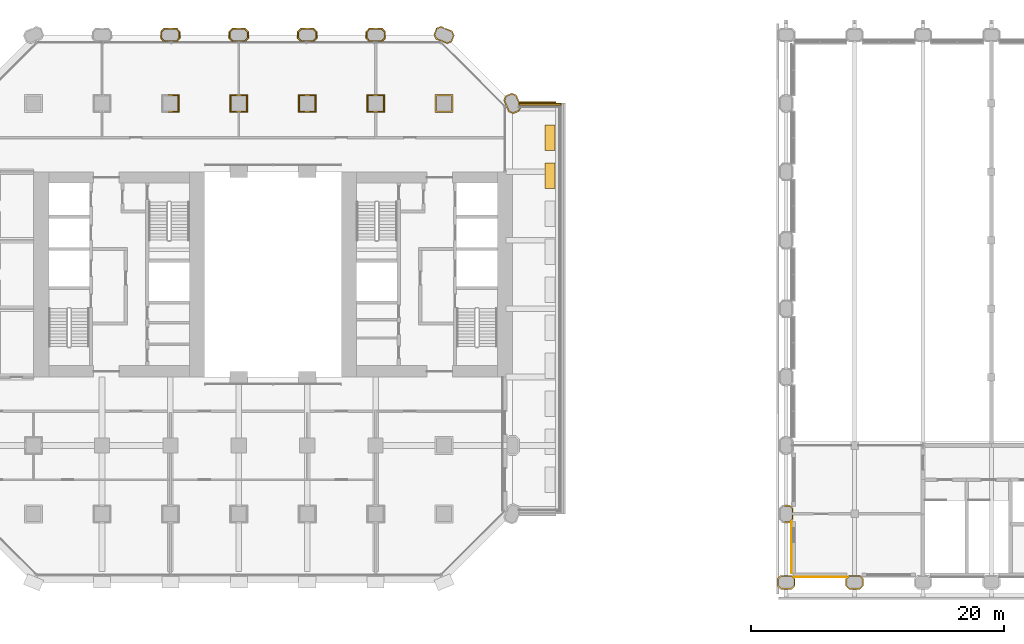
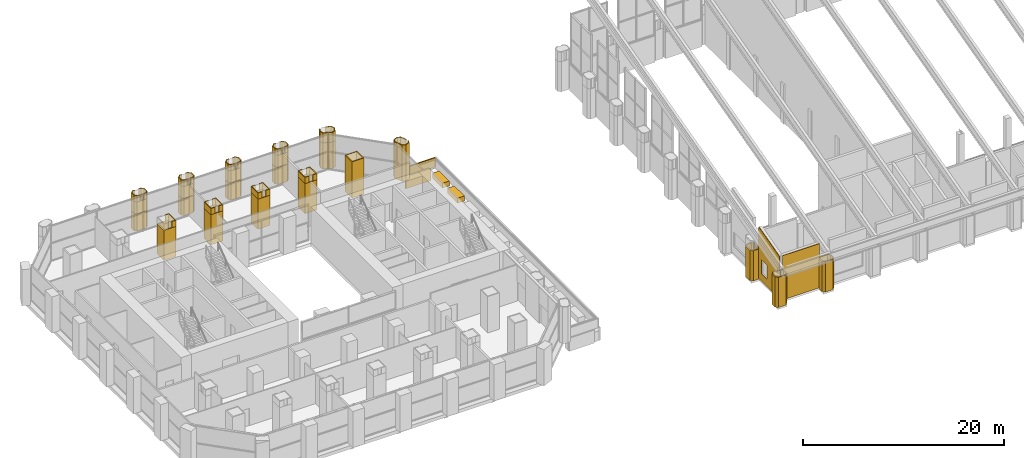
# One storey, part 38 of 42: 40 coverings.
"""IFC4 building model written with IfcOpenShell, lengths in metres."""

from ifc_helpers import new_model, si_unit, direction, frame, frame_2d, origin, origin_2d, place, context, subcontext, project, spatial, polyline, rectangle, outline, extrude, material, layer, layer_set, type_object, element, save


model = new_model("IFC4")

# Units and contexts
model_context = context("Model", 3, precision=1e-05, world=origin(), true_north=direction((0.0, 1.0)))
body_context = subcontext(model_context, "Body", "Model", "MODEL_VIEW")
ifc_project = project(units=[si_unit("LENGTHUNIT", "METRE"), si_unit("AREAUNIT", "SQUARE_METRE"), si_unit("VOLUMEUNIT", "CUBIC_METRE"), si_unit("PLANEANGLEUNIT", "RADIAN"), si_unit("MASSUNIT", "GRAM", prefix="KILO")], contexts=[model_context])

# Site, building, storey
site_placement = place(None, origin())
site = spatial("IfcSite", under=ifc_project, at=site_placement, CompositionType="ELEMENT")
building_placement = place(site_placement, origin())
building = spatial("IfcBuilding", under=site, at=building_placement, Name="Tabaq Tower and Sports Hall", CompositionType="ELEMENT")
storey_placement = place(building_placement, frame((0.0, 0.0, 19.800048828125)))
storey = spatial("IfcBuildingStorey", under=building, at=storey_placement, Name="L03", CompositionType="ELEMENT", Elevation=19.800048828125)

# Coverings
ifc_material_1 = material(Name="Precast concrete C60/75", Category="concrete")
ifc_layer_1 = layer(ifc_material_1, 0.10009765625)
ifc_layer_set_1 = layer_set([ifc_layer_1], Name="Column cladding 100")
covering_type_1 = type_object("IfcCoveringType", Name="Column cladding 100", PredefinedType="CLADDING", material=ifc_layer_set_1)
covering_1_placement = place(storey_placement, origin())
element("IfcCovering", 1, at=covering_1_placement, inside=storey, type_object=covering_type_1, Name="Column cladding L03 HC-13A", PredefinedType="CLADDING", context=body_context, shape_type="SweptSolid", body=[
    extrude(outline(polyline([(64.100341796875, -0.291259765625), (64.100341796875, 0.291259765625), (64.358642578125, 0.5498046875), (65.2412109375, 0.5498046875), (65.499755859375, 0.291259765625), (65.499755859375, -0.291259765625), (65.2412109375, -0.5498046875), (64.358642578125, -0.5498046875), (64.100341796875, -0.291259765625)]), holes=[polyline([(65.2001953125, -0.4501953125), (65.400390625, -0.250244140625), (65.400390625, 0.250244140625), (65.2001953125, 0.4501953125), (64.39990234375, 0.4501953125), (64.19970703125, 0.250244140625), (64.19970703125, -0.250244140625), (64.39990234375, -0.4501953125), (65.2001953125, -0.4501953125)])]), origin(), (0.0, 0.0, 1.0), 3.658935546875),
])
covering_2_placement = place(storey_placement, origin())
element("IfcCovering", 2, at=covering_2_placement, inside=storey, type_object=covering_type_1, Name="Column cladding L03 HC-13B", PredefinedType="CLADDING", context=body_context, shape_type="SweptSolid", body=[
    extrude(outline(polyline([(64.5087890625, 4.7001953125), (64.250244140625, 4.958740234375), (64.250244140625, 5.84130859375), (64.5087890625, 6.099609375), (65.09130859375, 6.099609375), (65.349609375, 5.84130859375), (65.349609375, 5.500244140625), (65.250244140625, 5.500244140625), (65.250244140625, 5.800048828125), (65.050048828125, 6.000244140625), (64.5498046875, 6.000244140625), (64.349609375, 5.800048828125), (64.349609375, 4.999755859375), (64.5498046875, 4.7998046875), (65.050048828125, 4.7998046875), (65.250244140625, 4.999755859375), (65.250244140625, 5.2998046875), (65.349609375, 5.2998046875), (65.349609375, 4.958740234375), (65.09130859375, 4.7001953125), (64.5087890625, 4.7001953125)])), origin(), (0.0, 0.0, 1.0), 3.658935546875),
])
covering_3_placement = place(storey_placement, origin())
element("IfcCovering", 3, at=covering_3_placement, inside=storey, type_object=covering_type_1, Name="Column cladding L03 HC-14A", PredefinedType="CLADDING", context=body_context, shape_type="SweptSolid", body=[
    extrude(outline(polyline([(69.500244140625, -0.291259765625), (69.500244140625, 0.291259765625), (69.7587890625, 0.5498046875), (70.641357421875, 0.5498046875), (70.899658203125, 0.291259765625), (70.899658203125, -0.291259765625), (70.641357421875, -0.5498046875), (69.7587890625, -0.5498046875), (69.500244140625, -0.291259765625)]), holes=[polyline([(70.60009765625, -0.4501953125), (70.80029296875, -0.250244140625), (70.80029296875, 0.250244140625), (70.60009765625, 0.4501953125), (69.7998046875, 0.4501953125), (69.599609375, 0.250244140625), (69.599609375, -0.250244140625), (69.7998046875, -0.4501953125), (70.60009765625, -0.4501953125)])]), origin(), (0.0, 0.0, 1.0), 3.658935546875),
])
covering_4_placement = place(storey_placement, origin())
element("IfcCovering", 4, at=covering_4_placement, inside=storey, type_object=covering_type_1, Name="Column cladding L03 CC-4H-P", PredefinedType="CLADDING", context=body_context, shape_type="SweptSolid", body=[
    extrude(outline(polyline([(15.500244140625, 38.499755859375), (16.899658203125, 38.499755859375), (16.899658203125, 37.100341796875), (15.500244140625, 37.100341796875), (15.500244140625, 38.499755859375)]), holes=[polyline([(16.80029296875, 37.19970703125), (16.80029296875, 38.400390625), (15.599609375, 38.400390625), (15.599609375, 37.19970703125), (16.80029296875, 37.19970703125)])]), origin(), (0.0, 0.0, 1.0), 3.64990234375),
])
covering_5_placement = place(storey_placement, frame((0.0, 0.0, 3.64990234375)))
element("IfcCovering", 5, at=covering_5_placement, inside=storey, type_object=covering_type_1, Name="Column cladding L03 CC-4H-P head", PredefinedType="CLADDING", context=body_context, shape_type="SweptSolid", body=[
    extrude(outline(polyline([(16.899658203125, 38.499755859375), (16.899658203125, 37.100341796875), (16.42529296875, 37.100341796875), (16.42529296875, 37.19970703125), (16.80029296875, 37.19970703125), (16.80029296875, 38.400390625), (16.42529296875, 38.400390625), (16.42529296875, 38.499755859375), (16.899658203125, 38.499755859375)])), origin(), (0.0, 0.0, 1.0), 0.75),
])
covering_6_placement = place(storey_placement, frame((0.0, 0.0, 0.1025390625)))
element("IfcCovering", 6, at=covering_6_placement, inside=storey, type_object=covering_type_1, Name="Column cladding L03 PC-4I-P", PredefinedType="CLADDING", context=body_context, shape_type="SweptSolid", body=[
    extrude(outline(polyline([(15.42529296875, 43.46630859375), (15.708740234375, 43.749755859375), (16.69140625, 43.749755859375), (16.974609375, 43.46630859375), (16.974609375, 42.93359375), (16.731201171875, 42.690185546875), (15.668701171875, 42.690185546875), (15.42529296875, 42.93359375), (15.42529296875, 43.46630859375)]), holes=[polyline([(16.875244140625, 42.974853515625), (16.875244140625, 43.425048828125), (16.650146484375, 43.650390625), (15.749755859375, 43.650390625), (15.524658203125, 43.425048828125), (15.524658203125, 42.974853515625), (15.749755859375, 42.749755859375), (16.650146484375, 42.749755859375), (16.875244140625, 42.974853515625)])]), origin(), (0.0, 0.0, 1.0), 2.06494140625),
])
covering_7_placement = place(storey_placement, frame((0.0, 0.0, 2.232421875)))
element("IfcCovering", 7, at=covering_7_placement, inside=storey, type_object=covering_type_1, Name="Column cladding L03 PC-4I-P 2", PredefinedType="CLADDING", context=body_context, shape_type="SweptSolid", body=[
    extrude(outline(polyline([(15.42529296875, 43.46630859375), (15.708740234375, 43.749755859375), (16.69140625, 43.749755859375), (16.974609375, 43.46630859375), (16.974609375, 42.93359375), (16.731201171875, 42.690185546875), (15.668701171875, 42.690185546875), (15.42529296875, 42.93359375), (15.42529296875, 43.46630859375)]), holes=[polyline([(16.875244140625, 42.974853515625), (16.875244140625, 43.425048828125), (16.650146484375, 43.650390625), (15.749755859375, 43.650390625), (15.524658203125, 43.425048828125), (15.524658203125, 42.974853515625), (15.749755859375, 42.749755859375), (16.650146484375, 42.749755859375), (16.875244140625, 42.974853515625)])]), origin(), (0.0, 0.0, 1.0), 1.41748046875),
])
covering_8_placement = place(storey_placement, frame((0.0, 0.0, 3.64990234375)))
element("IfcCovering", 8, at=covering_8_placement, inside=storey, type_object=covering_type_1, Name="Column cladding L03 PC-4I-P head", PredefinedType="CLADDING", context=body_context, shape_type="SweptSolid", body=[
    extrude(outline(polyline([(16.69140625, 43.749755859375), (16.974609375, 43.46630859375), (16.974609375, 42.93359375), (16.731201171875, 42.690185546875), (16.42529296875, 42.690185546875), (16.42529296875, 42.749755859375), (16.650146484375, 42.749755859375), (16.875244140625, 42.974853515625), (16.875244140625, 43.425048828125), (16.650146484375, 43.650390625), (16.42529296875, 43.650390625), (16.42529296875, 43.749755859375), (16.69140625, 43.749755859375)])), origin(), (0.0, 0.0, 1.0), 0.75),
])
covering_9_placement = place(storey_placement, frame((0.0, 0.0, 3.64990234375)))
element("IfcCovering", 9, at=covering_9_placement, inside=storey, type_object=covering_type_1, Name="Column cladding L03 PC-4I-P head 2", PredefinedType="CLADDING", context=body_context, shape_type="SweptSolid", body=[
    extrude(outline(polyline([(15.708740234375, 43.749755859375), (15.974609375, 43.749755859375), (15.974609375, 43.650390625), (15.749755859375, 43.650390625), (15.524658203125, 43.425048828125), (15.524658203125, 42.974853515625), (15.749755859375, 42.749755859375), (15.974609375, 42.749755859375), (15.974609375, 42.690185546875), (15.668701171875, 42.690185546875), (15.42529296875, 42.93359375), (15.42529296875, 43.46630859375), (15.708740234375, 43.749755859375)])), origin(), (0.0, 0.0, 1.0), 0.75),
])
covering_10_placement = place(storey_placement, origin())
element("IfcCovering", 10, at=covering_10_placement, inside=storey, type_object=covering_type_1, Name="Column cladding L03 CC-5H-P", PredefinedType="CLADDING", context=body_context, shape_type="SweptSolid", body=[
    extrude(outline(polyline([(20.900390625, 38.499755859375), (22.2998046875, 38.499755859375), (22.2998046875, 37.100341796875), (20.900390625, 37.100341796875), (20.900390625, 38.499755859375)]), holes=[polyline([(22.2001953125, 37.19970703125), (22.2001953125, 38.400390625), (20.999755859375, 38.400390625), (20.999755859375, 37.19970703125), (22.2001953125, 37.19970703125)])]), origin(), (0.0, 0.0, 1.0), 3.64990234375),
])
covering_11_placement = place(storey_placement, frame((0.0, 0.0, 3.64990234375)))
element("IfcCovering", 11, at=covering_11_placement, inside=storey, type_object=covering_type_1, Name="Column cladding L03 CC-5H-P head", PredefinedType="CLADDING", context=body_context, shape_type="SweptSolid", body=[
    extrude(outline(polyline([(21.374755859375, 38.499755859375), (21.374755859375, 38.400390625), (20.999755859375, 38.400390625), (20.999755859375, 37.19970703125), (21.374755859375, 37.19970703125), (21.374755859375, 37.100341796875), (20.900390625, 37.100341796875), (20.900390625, 38.499755859375), (21.374755859375, 38.499755859375)])), origin(), (0.0, 0.0, 1.0), 0.75),
])
covering_12_placement = place(storey_placement, frame((0.0, 0.0, 3.64990234375)))
element("IfcCovering", 12, at=covering_12_placement, inside=storey, type_object=covering_type_1, Name="Column cladding L03 CC-5H-P head 2", PredefinedType="CLADDING", context=body_context, shape_type="SweptSolid", body=[
    extrude(outline(polyline([(22.2998046875, 38.499755859375), (22.2998046875, 37.100341796875), (21.8251953125, 37.100341796875), (21.8251953125, 37.19970703125), (22.2001953125, 37.19970703125), (22.2001953125, 38.400390625), (21.8251953125, 38.400390625), (21.8251953125, 38.499755859375), (22.2998046875, 38.499755859375)])), origin(), (0.0, 0.0, 1.0), 0.75),
])
covering_13_placement = place(storey_placement, frame((0.0, 0.0, 0.1025390625)))
element("IfcCovering", 13, at=covering_13_placement, inside=storey, type_object=covering_type_1, Name="Column cladding L03 PC-5I-P", PredefinedType="CLADDING", context=body_context, shape_type="SweptSolid", body=[
    extrude(outline(polyline([(20.8251953125, 43.46630859375), (21.108642578125, 43.749755859375), (22.09130859375, 43.749755859375), (22.374755859375, 43.46630859375), (22.374755859375, 42.93359375), (22.13134765625, 42.690185546875), (21.068603515625, 42.690185546875), (20.8251953125, 42.93359375), (20.8251953125, 43.46630859375)]), holes=[polyline([(22.275390625, 42.974853515625), (22.275390625, 43.425048828125), (22.050048828125, 43.650390625), (21.14990234375, 43.650390625), (20.9248046875, 43.425048828125), (20.9248046875, 42.974853515625), (21.14990234375, 42.749755859375), (22.050048828125, 42.749755859375), (22.275390625, 42.974853515625)])]), origin(), (0.0, 0.0, 1.0), 2.06494140625),
])
covering_14_placement = place(storey_placement, frame((0.0, 0.0, 2.232421875)))
element("IfcCovering", 14, at=covering_14_placement, inside=storey, type_object=covering_type_1, Name="Column cladding L03 PC-5I-P 2", PredefinedType="CLADDING", context=body_context, shape_type="SweptSolid", body=[
    extrude(outline(polyline([(20.8251953125, 43.46630859375), (21.108642578125, 43.749755859375), (22.09130859375, 43.749755859375), (22.374755859375, 43.46630859375), (22.374755859375, 42.93359375), (22.13134765625, 42.690185546875), (21.068603515625, 42.690185546875), (20.8251953125, 42.93359375), (20.8251953125, 43.46630859375)]), holes=[polyline([(22.275390625, 42.974853515625), (22.275390625, 43.425048828125), (22.050048828125, 43.650390625), (21.14990234375, 43.650390625), (20.9248046875, 43.425048828125), (20.9248046875, 42.974853515625), (21.14990234375, 42.749755859375), (22.050048828125, 42.749755859375), (22.275390625, 42.974853515625)])]), origin(), (0.0, 0.0, 1.0), 1.41748046875),
])
covering_15_placement = place(storey_placement, frame((0.0, 0.0, 3.64990234375)))
element("IfcCovering", 15, at=covering_15_placement, inside=storey, type_object=covering_type_1, Name="Column cladding L03 PC-5I-P head", PredefinedType="CLADDING", context=body_context, shape_type="SweptSolid", body=[
    extrude(outline(polyline([(21.108642578125, 43.749755859375), (21.374755859375, 43.749755859375), (21.374755859375, 43.650390625), (21.14990234375, 43.650390625), (20.9248046875, 43.425048828125), (20.9248046875, 42.974853515625), (21.14990234375, 42.749755859375), (21.374755859375, 42.749755859375), (21.374755859375, 42.690185546875), (21.068603515625, 42.690185546875), (20.8251953125, 42.93359375), (20.8251953125, 43.46630859375), (21.108642578125, 43.749755859375)])), origin(), (0.0, 0.0, 1.0), 0.75),
])
covering_16_placement = place(storey_placement, frame((0.0, 0.0, 3.64990234375)))
element("IfcCovering", 16, at=covering_16_placement, inside=storey, type_object=covering_type_1, Name="Column cladding L03 PC-5I-P head 2", PredefinedType="CLADDING", context=body_context, shape_type="SweptSolid", body=[
    extrude(outline(polyline([(22.09130859375, 43.749755859375), (22.374755859375, 43.46630859375), (22.374755859375, 42.93359375), (22.13134765625, 42.690185546875), (21.8251953125, 42.690185546875), (21.8251953125, 42.749755859375), (22.050048828125, 42.749755859375), (22.275390625, 42.974853515625), (22.275390625, 43.425048828125), (22.050048828125, 43.650390625), (21.8251953125, 43.650390625), (21.8251953125, 43.749755859375), (22.09130859375, 43.749755859375)])), origin(), (0.0, 0.0, 1.0), 0.75),
])
covering_17_placement = place(storey_placement, origin())
element("IfcCovering", 17, at=covering_17_placement, inside=storey, type_object=covering_type_1, Name="Column cladding L03 CC-6H-P", PredefinedType="CLADDING", context=body_context, shape_type="SweptSolid", body=[
    extrude(outline(polyline([(26.30029296875, 38.499755859375), (27.69970703125, 38.499755859375), (27.69970703125, 37.100341796875), (26.30029296875, 37.100341796875), (26.30029296875, 38.499755859375)]), holes=[polyline([(27.600341796875, 37.19970703125), (27.600341796875, 38.400390625), (26.399658203125, 38.400390625), (26.399658203125, 37.19970703125), (27.600341796875, 37.19970703125)])]), origin(), (0.0, 0.0, 1.0), 3.64990234375),
])
covering_18_placement = place(storey_placement, frame((0.0, 0.0, 3.64990234375)))
element("IfcCovering", 18, at=covering_18_placement, inside=storey, type_object=covering_type_1, Name="Column cladding L03 CC-6H-P head", PredefinedType="CLADDING", context=body_context, shape_type="SweptSolid", body=[
    extrude(outline(polyline([(26.774658203125, 38.499755859375), (26.774658203125, 38.400390625), (26.399658203125, 38.400390625), (26.399658203125, 37.19970703125), (26.774658203125, 37.19970703125), (26.774658203125, 37.100341796875), (26.30029296875, 37.100341796875), (26.30029296875, 38.499755859375), (26.774658203125, 38.499755859375)])), origin(), (0.0, 0.0, 1.0), 0.75),
])
covering_19_placement = place(storey_placement, frame((0.0, 0.0, 3.64990234375)))
element("IfcCovering", 19, at=covering_19_placement, inside=storey, type_object=covering_type_1, Name="Column cladding L03 CC-6H-P head 2", PredefinedType="CLADDING", context=body_context, shape_type="SweptSolid", body=[
    extrude(outline(polyline([(27.69970703125, 38.499755859375), (27.69970703125, 37.100341796875), (27.225341796875, 37.100341796875), (27.225341796875, 37.19970703125), (27.600341796875, 37.19970703125), (27.600341796875, 38.400390625), (27.225341796875, 38.400390625), (27.225341796875, 38.499755859375), (27.69970703125, 38.499755859375)])), origin(), (0.0, 0.0, 1.0), 0.75),
])
covering_20_placement = place(storey_placement, frame((0.0, 0.0, 0.1025390625)))
element("IfcCovering", 20, at=covering_20_placement, inside=storey, type_object=covering_type_1, Name="Column cladding L03 PC-6I-P", PredefinedType="CLADDING", context=body_context, shape_type="SweptSolid", body=[
    extrude(outline(polyline([(26.225341796875, 43.46630859375), (26.5087890625, 43.749755859375), (27.4912109375, 43.749755859375), (27.774658203125, 43.46630859375), (27.774658203125, 42.93359375), (27.53125, 42.690185546875), (26.46875, 42.690185546875), (26.225341796875, 42.93359375), (26.225341796875, 43.46630859375)]), holes=[polyline([(27.67529296875, 42.974853515625), (27.67529296875, 43.425048828125), (27.4501953125, 43.650390625), (26.5498046875, 43.650390625), (26.32470703125, 43.425048828125), (26.32470703125, 42.974853515625), (26.5498046875, 42.749755859375), (27.4501953125, 42.749755859375), (27.67529296875, 42.974853515625)])]), origin(), (0.0, 0.0, 1.0), 2.06494140625),
])
covering_21_placement = place(storey_placement, frame((0.0, 0.0, 2.232421875)))
element("IfcCovering", 21, at=covering_21_placement, inside=storey, type_object=covering_type_1, Name="Column cladding L03 PC-6I-P 2", PredefinedType="CLADDING", context=body_context, shape_type="SweptSolid", body=[
    extrude(outline(polyline([(26.225341796875, 43.46630859375), (26.5087890625, 43.749755859375), (27.4912109375, 43.749755859375), (27.774658203125, 43.46630859375), (27.774658203125, 42.93359375), (27.53125, 42.690185546875), (26.46875, 42.690185546875), (26.225341796875, 42.93359375), (26.225341796875, 43.46630859375)]), holes=[polyline([(27.67529296875, 42.974853515625), (27.67529296875, 43.425048828125), (27.4501953125, 43.650390625), (26.5498046875, 43.650390625), (26.32470703125, 43.425048828125), (26.32470703125, 42.974853515625), (26.5498046875, 42.749755859375), (27.4501953125, 42.749755859375), (27.67529296875, 42.974853515625)])]), origin(), (0.0, 0.0, 1.0), 1.41748046875),
])
covering_22_placement = place(storey_placement, frame((0.0, 0.0, 3.64990234375)))
element("IfcCovering", 22, at=covering_22_placement, inside=storey, type_object=covering_type_1, Name="Column cladding L03 PC-6I-P head", PredefinedType="CLADDING", context=body_context, shape_type="SweptSolid", body=[
    extrude(outline(polyline([(26.5087890625, 43.749755859375), (26.774658203125, 43.749755859375), (26.774658203125, 43.650390625), (26.5498046875, 43.650390625), (26.32470703125, 43.425048828125), (26.32470703125, 42.974853515625), (26.5498046875, 42.749755859375), (26.774658203125, 42.749755859375), (26.774658203125, 42.690185546875), (26.46875, 42.690185546875), (26.225341796875, 42.93359375), (26.225341796875, 43.46630859375), (26.5087890625, 43.749755859375)])), origin(), (0.0, 0.0, 1.0), 0.75),
])
covering_23_placement = place(storey_placement, frame((0.0, 0.0, 3.64990234375)))
element("IfcCovering", 23, at=covering_23_placement, inside=storey, type_object=covering_type_1, Name="Column cladding L03 PC-6I-P head 2", PredefinedType="CLADDING", context=body_context, shape_type="SweptSolid", body=[
    extrude(outline(polyline([(27.4912109375, 43.749755859375), (27.774658203125, 43.46630859375), (27.774658203125, 42.93359375), (27.53125, 42.690185546875), (27.225341796875, 42.690185546875), (27.225341796875, 42.749755859375), (27.4501953125, 42.749755859375), (27.67529296875, 42.974853515625), (27.67529296875, 43.425048828125), (27.4501953125, 43.650390625), (27.225341796875, 43.650390625), (27.225341796875, 43.749755859375), (27.4912109375, 43.749755859375)])), origin(), (0.0, 0.0, 1.0), 0.75),
])
covering_24_placement = place(storey_placement, origin())
element("IfcCovering", 24, at=covering_24_placement, inside=storey, type_object=covering_type_1, Name="Column cladding L03 CC-7H-P", PredefinedType="CLADDING", context=body_context, shape_type="SweptSolid", body=[
    extrude(outline(polyline([(31.7001953125, 38.499755859375), (33.099609375, 38.499755859375), (33.099609375, 37.100341796875), (31.7001953125, 37.100341796875), (31.7001953125, 38.499755859375)]), holes=[polyline([(33.000244140625, 37.19970703125), (33.000244140625, 38.400390625), (31.7998046875, 38.400390625), (31.7998046875, 37.19970703125), (33.000244140625, 37.19970703125)])]), origin(), (0.0, 0.0, 1.0), 3.64990234375),
])
covering_25_placement = place(storey_placement, frame((0.0, 0.0, 3.64990234375)))
element("IfcCovering", 25, at=covering_25_placement, inside=storey, type_object=covering_type_1, Name="Column cladding L03 CC-7H-P head", PredefinedType="CLADDING", context=body_context, shape_type="SweptSolid", body=[
    extrude(outline(polyline([(33.099609375, 38.499755859375), (33.099609375, 37.100341796875), (32.625244140625, 37.100341796875), (32.625244140625, 37.19970703125), (33.000244140625, 37.19970703125), (33.000244140625, 38.400390625), (32.625244140625, 38.400390625), (32.625244140625, 38.499755859375), (33.099609375, 38.499755859375)])), origin(), (0.0, 0.0, 1.0), 0.75),
])
covering_26_placement = place(storey_placement, frame((0.0, 0.0, 3.64990234375)))
element("IfcCovering", 26, at=covering_26_placement, inside=storey, type_object=covering_type_1, Name="Column cladding L03 CC-7H-P head 2", PredefinedType="CLADDING", context=body_context, shape_type="SweptSolid", body=[
    extrude(outline(polyline([(32.1748046875, 38.499755859375), (32.1748046875, 38.400390625), (31.7998046875, 38.400390625), (31.7998046875, 37.19970703125), (32.1748046875, 37.19970703125), (32.1748046875, 37.100341796875), (31.7001953125, 37.100341796875), (31.7001953125, 38.499755859375), (32.1748046875, 38.499755859375)])), origin(), (0.0, 0.0, 1.0), 0.75),
])
covering_27_placement = place(storey_placement, frame((0.0, 0.0, 0.1025390625)))
element("IfcCovering", 27, at=covering_27_placement, inside=storey, type_object=covering_type_1, Name="Column cladding L03 PC-7I-P", PredefinedType="CLADDING", context=body_context, shape_type="SweptSolid", body=[
    extrude(outline(polyline([(31.625244140625, 43.46630859375), (31.90869140625, 43.749755859375), (32.891357421875, 43.749755859375), (33.1748046875, 43.46630859375), (33.1748046875, 42.93359375), (32.931396484375, 42.690185546875), (31.86865234375, 42.690185546875), (31.625244140625, 42.93359375), (31.625244140625, 43.46630859375)]), holes=[polyline([(33.0751953125, 42.974853515625), (33.0751953125, 43.425048828125), (32.85009765625, 43.650390625), (31.949951171875, 43.650390625), (31.724609375, 43.425048828125), (31.724609375, 42.974853515625), (31.949951171875, 42.749755859375), (32.85009765625, 42.749755859375), (33.0751953125, 42.974853515625)])]), origin(), (0.0, 0.0, 1.0), 2.06494140625),
])
covering_28_placement = place(storey_placement, frame((0.0, 0.0, 2.232421875)))
element("IfcCovering", 28, at=covering_28_placement, inside=storey, type_object=covering_type_1, Name="Column cladding L03 PC-7I-P 2", PredefinedType="CLADDING", context=body_context, shape_type="SweptSolid", body=[
    extrude(outline(polyline([(31.625244140625, 43.46630859375), (31.90869140625, 43.749755859375), (32.891357421875, 43.749755859375), (33.1748046875, 43.46630859375), (33.1748046875, 42.93359375), (32.931396484375, 42.690185546875), (31.86865234375, 42.690185546875), (31.625244140625, 42.93359375), (31.625244140625, 43.46630859375)]), holes=[polyline([(33.0751953125, 42.974853515625), (33.0751953125, 43.425048828125), (32.85009765625, 43.650390625), (31.949951171875, 43.650390625), (31.724609375, 43.425048828125), (31.724609375, 42.974853515625), (31.949951171875, 42.749755859375), (32.85009765625, 42.749755859375), (33.0751953125, 42.974853515625)])]), origin(), (0.0, 0.0, 1.0), 1.41748046875),
])
covering_29_placement = place(storey_placement, frame((0.0, 0.0, 3.64990234375)))
element("IfcCovering", 29, at=covering_29_placement, inside=storey, type_object=covering_type_1, Name="Column cladding L03 PC-7I-P head", PredefinedType="CLADDING", context=body_context, shape_type="SweptSolid", body=[
    extrude(outline(polyline([(31.90869140625, 43.749755859375), (32.1748046875, 43.749755859375), (32.1748046875, 43.650390625), (31.949951171875, 43.650390625), (31.724609375, 43.425048828125), (31.724609375, 42.974853515625), (31.949951171875, 42.749755859375), (32.1748046875, 42.749755859375), (32.1748046875, 42.690185546875), (31.86865234375, 42.690185546875), (31.625244140625, 42.93359375), (31.625244140625, 43.46630859375), (31.90869140625, 43.749755859375)])), origin(), (0.0, 0.0, 1.0), 0.75),
])
covering_30_placement = place(storey_placement, frame((0.0, 0.0, 3.64990234375)))
element("IfcCovering", 30, at=covering_30_placement, inside=storey, type_object=covering_type_1, Name="Column cladding L03 PC-7I-P head 2", PredefinedType="CLADDING", context=body_context, shape_type="SweptSolid", body=[
    extrude(outline(polyline([(32.891357421875, 43.749755859375), (33.1748046875, 43.46630859375), (33.1748046875, 42.93359375), (32.931396484375, 42.690185546875), (32.625244140625, 42.690185546875), (32.625244140625, 42.749755859375), (32.85009765625, 42.749755859375), (33.0751953125, 42.974853515625), (33.0751953125, 43.425048828125), (32.85009765625, 43.650390625), (32.625244140625, 43.650390625), (32.625244140625, 43.749755859375), (32.891357421875, 43.749755859375)])), origin(), (0.0, 0.0, 1.0), 0.75),
])
covering_31_placement = place(storey_placement, origin())
element("IfcCovering", 31, at=covering_31_placement, inside=storey, type_object=covering_type_1, Name="Column cladding L03 CC-8H-P", PredefinedType="CLADDING", context=body_context, shape_type="SweptSolid", body=[
    extrude(outline(polyline([(37.100341796875, 38.499755859375), (38.499755859375, 38.499755859375), (38.499755859375, 37.100341796875), (37.100341796875, 37.100341796875), (37.100341796875, 38.499755859375)]), holes=[polyline([(38.400390625, 37.19970703125), (38.400390625, 38.400390625), (37.19970703125, 38.400390625), (37.19970703125, 37.19970703125), (38.400390625, 37.19970703125)])]), origin(), (0.0, 0.0, 1.0), 4.39990234375),
])
covering_32_placement = place(storey_placement, origin())
element("IfcCovering", 32, at=covering_32_placement, inside=storey, type_object=covering_type_1, Name="Column cladding L03 PC-8I-P", PredefinedType="CLADDING", context=body_context, shape_type="SweptSolid", body=[
    extrude(outline(polyline([(38.413818359375, 42.657470703125), (38.04345703125, 42.504150390625), (37.614013671875, 42.68212890625), (37.614013671875, 42.690185546875), (37.593994140625, 42.690185546875), (37.1357421875, 42.880126953125), (36.982421875, 43.25048828125), (37.186279296875, 43.742431640625), (37.556396484375, 43.895751953125), (37.7998046875, 43.795166015625), (37.7998046875, 43.696533203125), (37.9501953125, 43.696533203125), (37.95166015625, 43.732177734375), (38.46435546875, 43.519775390625), (38.61767578125, 43.149658203125), (38.413818359375, 42.657470703125)]), holes=[polyline([(37.26220703125, 43.66650390625), (37.08984375, 43.25048828125), (37.2119140625, 42.956298828125), (38.04345703125, 42.61181640625), (38.337646484375, 42.733642578125), (38.510009765625, 43.149658203125), (38.38818359375, 43.44384765625), (37.556396484375, 43.788330078125), (37.26220703125, 43.66650390625)])]), origin(), (0.0, 0.0, 1.0), 3.199951171875),
])
covering_33_placement = place(storey_placement, frame((0.0, 0.0, 3.199951171875)))
element("IfcCovering", 33, at=covering_33_placement, inside=storey, type_object=covering_type_1, Name="Column cladding L03 PC-8I-P head", PredefinedType="CLADDING", context=body_context, shape_type="SweptSolid", body=[
    extrude(outline(polyline([(38.04345703125, 42.504150390625), (37.614013671875, 42.68212890625), (37.614013671875, 42.690185546875), (37.593994140625, 42.690185546875), (37.1357421875, 42.880126953125), (36.982421875, 43.25048828125), (37.186279296875, 43.742431640625), (37.19970703125, 43.748046875), (37.19970703125, 43.649658203125), (37.25537109375, 43.649658203125), (37.08984375, 43.25048828125), (37.2119140625, 42.956298828125), (38.04345703125, 42.61181640625), (38.337646484375, 42.733642578125), (38.510009765625, 43.149658203125), (38.38818359375, 43.44384765625), (37.80029296875, 43.687255859375), (37.80029296875, 43.696533203125), (37.9501953125, 43.696533203125), (37.95166015625, 43.732177734375), (38.46435546875, 43.519775390625), (38.61767578125, 43.149658203125), (38.413818359375, 42.657470703125), (38.04345703125, 42.504150390625)])), origin(), (0.0, 0.0, 1.0), 1.199951171875),
])
covering_34_placement = place(storey_placement, origin())
element("IfcCovering", 34, at=covering_34_placement, inside=storey, type_object=covering_type_1, Name="Column cladding L03 PC-9H-P", PredefinedType="CLADDING", context=body_context, shape_type="SweptSolid", body=[
    extrude(outline(polyline([(43.25048828125, 36.982421875), (42.880126953125, 37.1357421875), (42.690185546875, 37.593994140625), (42.690185546875, 37.614013671875), (42.68212890625, 37.614013671875), (42.504150390625, 38.04345703125), (42.657470703125, 38.413818359375), (43.149658203125, 38.61767578125), (43.519775390625, 38.46435546875), (43.794921875, 37.80029296875), (43.69970703125, 37.80029296875), (43.69970703125, 37.770263671875), (43.44384765625, 38.38818359375), (43.149658203125, 38.510009765625), (42.733642578125, 38.337646484375), (42.61181640625, 38.04345703125), (42.956298828125, 37.2119140625), (43.25048828125, 37.08984375), (43.66650390625, 37.26220703125), (43.7607421875, 37.48974609375), (43.8681640625, 37.48974609375), (43.742431640625, 37.186279296875), (43.25048828125, 36.982421875)])), origin(), (0.0, 0.0, 1.0), 4.39990234375),
])
ifc_material_2 = material(Name="Planting soil and drainage layer")
covering_type_2 = type_object("IfcCoveringType", Name="Planter 2000x800x600", PredefinedType="USERDEFINED", material=ifc_material_2)
for number, where, z_axis, x_axis, name in (
    (35, (46.169921875, 32.10009765625, 0.0), (0.0, 0.0, 1.0), (0.0, 1.0, 0.0), "Planter L03"),
    (36, (46.169921875, 35.10009765625, 0.0), (0.0, 0.0, 1.0), (0.0, 1.0, 0.0), "Planter L03"),
):
    element("IfcCovering", number, at=place(storey_placement, frame(where, z_axis=z_axis, x_axis=x_axis)), inside=storey, type_object=covering_type_2, Name=name, ObjectType="PLANTER", PredefinedType="USERDEFINED", context=body_context, shape_type="SweptSolid", body=[
        extrude(rectangle(XDim=2.0, YDim=0.800048828125, at=origin_2d()), origin(), (0.0, 0.0, 1.0), 0.60009765625),
    ])
ifc_material_3 = material(Name="Precast concrete C60/75", Category="concrete")
ifc_layer_2 = layer(ifc_material_3, 0.14990234375)
ifc_layer_set_2 = layer_set([ifc_layer_2], Name="Tray fascia 1200")
covering_type_3 = type_object("IfcCoveringType", Name="Tray fascia 1200", PredefinedType="CLADDING", material=ifc_layer_set_2)
covering_35_placement = place(storey_placement, frame((43.69677734375, 37.875, -1.60009765625), z_axis=(0.0, 0.0, 1.0), x_axis=(1.0, 0.0, 0.0)))
element("IfcCovering", 37, at=covering_35_placement, inside=storey, type_object=covering_type_3, Name="Tray fascia L03 EBT", PredefinedType="CLADDING", context=body_context, shape_type="SweptSolid", body=[
    extrude(rectangle(XDim=2.9033203125, YDim=0.14990234375, at=frame_2d((1.45166015625, 0.0))), origin(), (0.0, 0.0, 1.0), 1.60009765625),
])
ifc_material_4 = material(Name="Precast concrete C60/75", Category="concrete")
ifc_layer_3 = layer(ifc_material_4, 0.14990234375)
ifc_layer_set_3 = layer_set([ifc_layer_3], Name="Tray upstand cladding 1100")
covering_type_4 = type_object("IfcCoveringType", Name="Tray upstand cladding 1100", PredefinedType="CLADDING", material=ifc_layer_set_3)
covering_36_placement = place(storey_placement, frame((43.699951171875, 37.72509765625, 0.0), z_axis=(0.0, 0.0, 1.0), x_axis=(1.0, 0.0, 0.0)))
element("IfcCovering", 38, at=covering_36_placement, inside=storey, type_object=covering_type_4, Name="Tray upstand cladding L03", PredefinedType="CLADDING", context=body_context, shape_type="SweptSolid", body=[
    extrude(rectangle(XDim=3.35009765625, YDim=0.14990234375, at=frame_2d((1.675048828125, 0.0))), origin(), (0.0, 0.0, 1.0), 1.099853515625),
])
ifc_material_5 = material(Name="Precast concrete C60/75", Category="concrete")
ifc_layer_4 = layer(ifc_material_5, 0.06005859375)
ifc_layer_set_4 = layer_set([ifc_layer_4], Name="White precast cladding panel 60 C60/75")
covering_type_5 = type_object("IfcCoveringType", Name="White precast cladding panel 60 C60/75", PredefinedType="CLADDING", material=ifc_layer_set_4)
covering_37_placement = place(storey_placement, frame((65.39990234375, 0.419921875, 0.0), z_axis=(0.0, 0.0, 1.0), x_axis=(1.0, 0.0, 0.0)))
element("IfcCovering", 39, at=covering_37_placement, inside=storey, type_object=covering_type_5, Name="White precast cladding panel L03 L03", PredefinedType="CLADDING", context=body_context, shape_type="SweptSolid", body=[
    extrude(outline(polyline([(0.0, 0.0), (4.2001953125, 0.0), (4.199951171875, 5.365234375), (0.0, 5.365234375), (0.0, 0.0)])), frame((0.0, 0.030029296875, 0.0), z_axis=(0.0, -1.0, 0.0), x_axis=(1.0, 0.0, 0.0)), (0.0, 0.0, 1.0), 0.06005859375),
])
covering_38_placement = place(storey_placement, frame((65.219970703125, 0.699951171875, 0.0), z_axis=(0.0, 0.0, 1.0), x_axis=(0.0, 1.0, 0.0)))
element("IfcCovering", 40, at=covering_38_placement, inside=storey, type_object=covering_type_5, Name="White precast cladding panel L03 L03", PredefinedType="CLADDING", context=body_context, shape_type="SweptSolid", body=[
    extrude(outline(polyline([(0.0, 0.0), (4.10009765625, 0.0), (4.10009765625, 6.2705078125), (0.0, 5.171875), (0.0, 0.0)]), holes=[polyline([(2.43994140625, 0.889892578125), (2.43994140625, 2.60986328125), (3.56005859375, 2.60986328125), (3.56005859375, 0.889892578125), (2.43994140625, 0.889892578125)])]), frame((0.0, 0.030029296875, 0.0), z_axis=(0.0, -1.0, 0.0), x_axis=(1.0, 0.0, 0.0)), (0.0, 0.0, 1.0), 0.06005859375),
])

save(model, "model.ifc")
